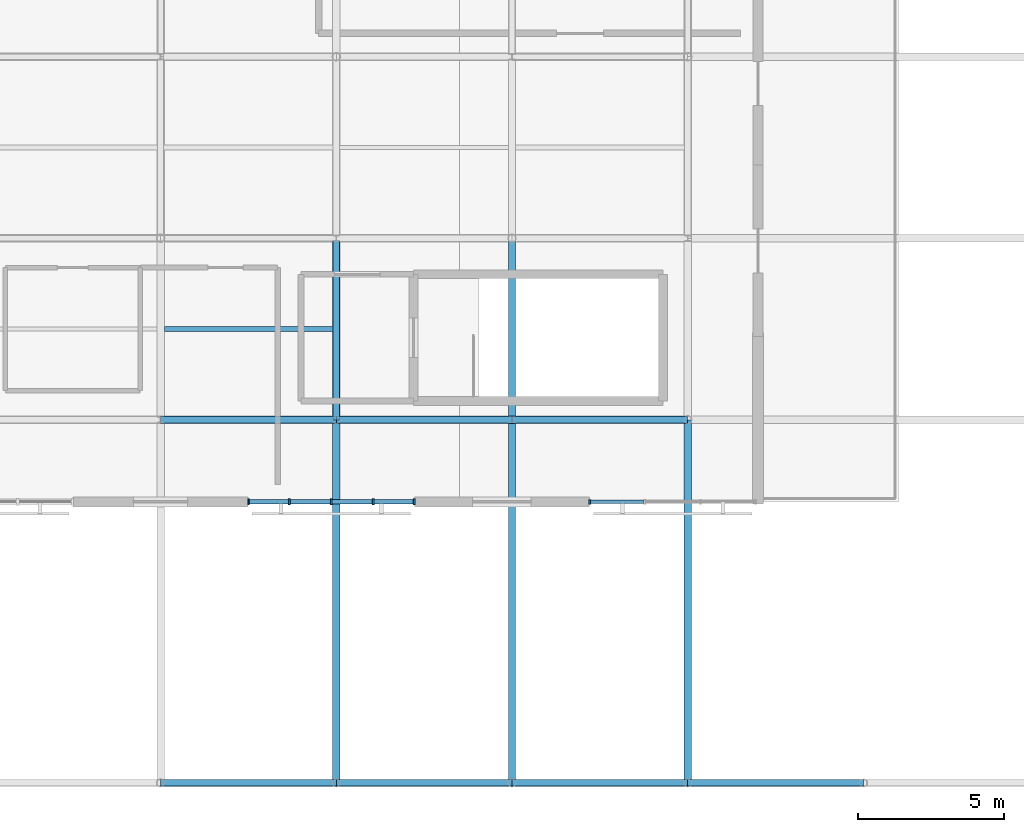
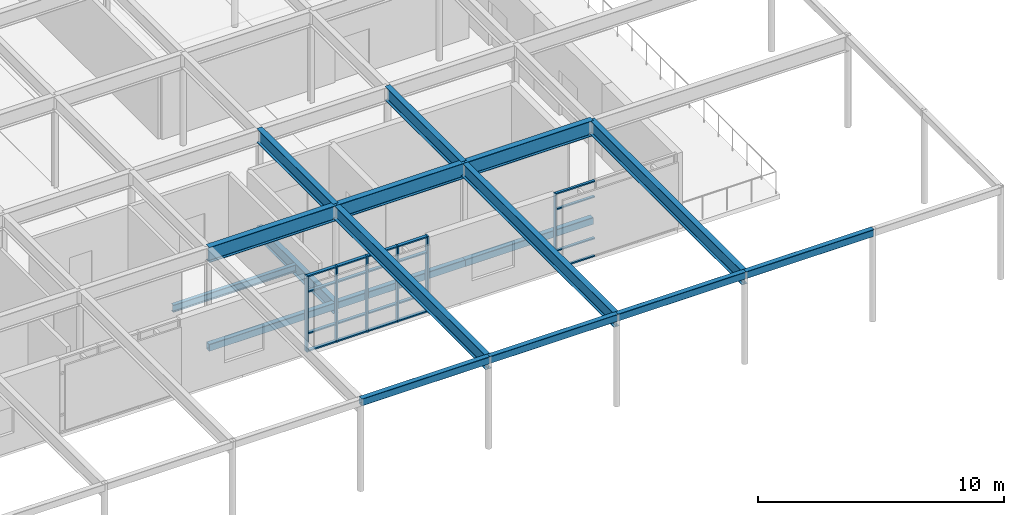
# One storey, part 24 of 48: 26 members, 17 beams, 2 elements without a shape of their own.
"""IFC4 building model written with IfcOpenShell, lengths in metres."""

from ifc_helpers import new_model, si_unit, direction, frame, origin, origin_2d, place, context, subcontext, project, spatial, rectangle, hollow_rectangle, i_section, extrude, material, layer, layer_set, material_profile, profile_set, type_object, element, aggregate, save


model = new_model("IFC4")

# Units and contexts
model_context = context("Model", 3, precision=1e-05, world=origin(), true_north=direction((0.0, 1.0)))
body_context = subcontext(model_context, "Body", "Model", "MODEL_VIEW")
ifc_project = project(units=[si_unit("LENGTHUNIT", "METRE"), si_unit("AREAUNIT", "SQUARE_METRE"), si_unit("VOLUMEUNIT", "CUBIC_METRE"), si_unit("PLANEANGLEUNIT", "RADIAN"), si_unit("MASSUNIT", "GRAM", prefix="KILO")], contexts=[model_context])

# Site, building, storey
site_placement = place(None, origin())
site = spatial("IfcSite", under=ifc_project, at=site_placement, CompositionType="ELEMENT")
building_placement = place(site_placement, origin())
building = spatial("IfcBuilding", under=site, at=building_placement, Name="Mirzam Square Science Centre", CompositionType="ELEMENT")
storey_placement = place(building_placement, frame((0.0, 0.0, 20.39990234375)))
storey = spatial("IfcBuildingStorey", under=building, at=storey_placement, Name="L04", CompositionType="ELEMENT", Elevation=20.39990234375)

# Beams
ifc_material_1 = material(Name="Steel S355", Category="steel")
ifc_material_profile_1 = material_profile(ifc_material_1, i_section(OverallWidth=0.22900390625, OverallDepth=0.6123046875, WebThickness=0.011962890625, FlangeThickness=0.01953125, FilletRadius=0.0126953125, at=origin_2d()), Name="610x229x125UB")
ifc_profile_set_1 = profile_set([ifc_material_profile_1], Name="Steel S355")
beam_type_1 = type_object("IfcBeamType", Name="BM-UB610", PredefinedType="BEAM", material=ifc_profile_set_1)
beam_1_placement = place(storey_placement, frame((138.0, 49.60009765625, -0.555908203125), z_axis=(0.0, 1.0, 0.0), x_axis=(-1.0, 0.0, 0.0)))
element("IfcBeam", 1, at=beam_1_placement, inside=storey, type_object=beam_type_1, Name="L04 girder Y24-9", PredefinedType="BEAM", context=body_context, shape_type="SweptSolid", body=[
    extrude(i_section(OverallWidth=0.22900390625, OverallDepth=0.6123046875, WebThickness=0.011962890625, FlangeThickness=0.01953125, FilletRadius=0.0126953125, at=origin_2d()), origin(), (0.0, 0.0, 1.0), 6.199951171875),
])
ifc_material_profile_2 = material_profile(ifc_material_1, i_section(OverallWidth=0.25439453125, OverallDepth=0.6875, WebThickness=0.01318359375, FlangeThickness=0.02099609375, FilletRadius=0.01513671875, at=origin_2d()), Name="686x254x152UB")
ifc_profile_set_2 = profile_set([ifc_material_profile_2], Name="Steel S355")
beam_type_2 = type_object("IfcBeamType", Name="BM-UB686", PredefinedType="BEAM", material=ifc_profile_set_2)
beam_2_placement = place(storey_placement, frame((138.0, 37.199951171875, 4.226318359375), z_axis=(0.0, 1.0, 0.0), x_axis=(-1.0, 0.0, 0.0)))
element("IfcBeam", 2, at=beam_2_placement, inside=storey, type_object=beam_type_2, Name="Parasol roof girder X24 Y7-9", PredefinedType="BEAM", context=body_context, shape_type="SweptSolid", body=[
    extrude(i_section(OverallWidth=0.25439453125, OverallDepth=0.6875, WebThickness=0.01318359375, FlangeThickness=0.02099609375, FilletRadius=0.01513671875, at=origin_2d()), origin(), (0.0, 0.0, 1.0), 12.400146484375),
])
beam_3_placement = place(storey_placement, frame((138.0, 49.60009765625, 4.226318359375), z_axis=(0.0, 1.0, 0.0), x_axis=(-1.0, 0.0, 0.0)))
element("IfcBeam", 3, at=beam_3_placement, inside=storey, type_object=beam_type_2, Name="Parasol roof girder X24 Y9-10", PredefinedType="BEAM", context=body_context, shape_type="SweptSolid", body=[
    extrude(i_section(OverallWidth=0.25439453125, OverallDepth=0.6875, WebThickness=0.01318359375, FlangeThickness=0.02099609375, FilletRadius=0.01513671875, at=origin_2d()), origin(), (0.0, 0.0, 1.0), 6.199951171875),
])
beam_4_placement = place(storey_placement, frame((144.0, 37.199951171875, 4.226318359375), z_axis=(0.0, 1.0, 0.0), x_axis=(-1.0, 0.0, 0.0)))
element("IfcBeam", 4, at=beam_4_placement, inside=storey, type_object=beam_type_2, Name="Parasol roof girder X25 Y7-9", PredefinedType="BEAM", context=body_context, shape_type="SweptSolid", body=[
    extrude(i_section(OverallWidth=0.25439453125, OverallDepth=0.6875, WebThickness=0.01318359375, FlangeThickness=0.02099609375, FilletRadius=0.01513671875, at=origin_2d()), origin(), (0.0, 0.0, 1.0), 12.400146484375),
])
beam_5_placement = place(storey_placement, frame((144.0, 49.60009765625, 4.226318359375), z_axis=(0.0, 1.0, 0.0), x_axis=(-1.0, 0.0, 0.0)))
element("IfcBeam", 5, at=beam_5_placement, inside=storey, type_object=beam_type_2, Name="Parasol roof girder X25 Y9-10", PredefinedType="BEAM", context=body_context, shape_type="SweptSolid", body=[
    extrude(i_section(OverallWidth=0.25439453125, OverallDepth=0.6875, WebThickness=0.01318359375, FlangeThickness=0.02099609375, FilletRadius=0.01513671875, at=origin_2d()), origin(), (0.0, 0.0, 1.0), 6.199951171875),
])
beam_6_placement = place(storey_placement, frame((150.0, 37.199951171875, 4.226318359375), z_axis=(0.0, 1.0, 0.0), x_axis=(-1.0, 0.0, 0.0)))
element("IfcBeam", 6, at=beam_6_placement, inside=storey, type_object=beam_type_2, Name="Parasol roof girder X26 Y7-9", PredefinedType="BEAM", context=body_context, shape_type="SweptSolid", body=[
    extrude(i_section(OverallWidth=0.25439453125, OverallDepth=0.6875, WebThickness=0.01318359375, FlangeThickness=0.02099609375, FilletRadius=0.01513671875, at=origin_2d()), origin(), (0.0, 0.0, 1.0), 12.400146484375),
])
ifc_material_profile_3 = material_profile(ifc_material_1, i_section(OverallWidth=0.2666015625, OverallDepth=0.76220703125, WebThickness=0.014404296875, FlangeThickness=0.021484375, FilletRadius=0.0166015625, at=origin_2d()), Name="762x267x173UB")
ifc_profile_set_3 = profile_set([ifc_material_profile_3], Name="Steel S355")
beam_type_3 = type_object("IfcBeamType", Name="BM-UB762", PredefinedType="BEAM", material=ifc_profile_set_3)
for number, where, z_axis, x_axis, name in (
    (7, (132.0, 49.60009765625, 4.18896484375), (1.0, 0.0, 0.0), (0.0, 1.0, 0.0), "Parasol roof girder Y9 X23-24"),
    (8, (138.0, 49.60009765625, 4.18896484375), (1.0, 0.0, 0.0), (0.0, 1.0, 0.0), "Parasol roof girder Y9 X24-25"),
    (9, (144.0, 49.60009765625, 4.18896484375), (1.0, 0.0, 0.0), (0.0, 1.0, 0.0), "Parasol roof girder Y9 X25-26"),
):
    element("IfcBeam", number, at=place(storey_placement, frame(where, z_axis=z_axis, x_axis=x_axis)), inside=storey, type_object=beam_type_3, Name=name, PredefinedType="BEAM", context=body_context, shape_type="SweptSolid", body=[
        extrude(i_section(OverallWidth=0.2666015625, OverallDepth=0.76220703125, WebThickness=0.014404296875, FlangeThickness=0.021484375, FilletRadius=0.0166015625, at=origin_2d()), origin(), (0.0, 0.0, 1.0), 6.0),
    ])

# Curtain wall, member
ifc_material_2 = material(Name="Anodised Aluminium and Low-E Solar Glass", Category="aluminium")
ifc_layer_1 = layer(ifc_material_2, 0.199951171875)
ifc_layer_set_1 = layer_set([ifc_layer_1], Name="CW-PARK-B")
curtain_wall_type_1 = type_object("IfcCurtainWallType", Name="CW-PARK-B", PredefinedType="USERDEFINED", material=ifc_layer_set_1)
curtain_wall_1_placement = place(storey_placement, origin())
curtain_wall_1 = element("IfcCurtainWall", 10, at=curtain_wall_1_placement, inside=storey, type_object=curtain_wall_type_1, Name="L04 unitised curtain wall 149", ObjectType="UNITISED CURTAIN WALL", PredefinedType="USERDEFINED")
ifc_material_3 = material(Name="Anodised Architectural Aluminium 6063-T6", Category="aluminium")
ifc_material_profile_4 = material_profile(ifc_material_3, rectangle(XDim=0.06005859375, YDim=0.159912109375, at=origin_2d()), Name="ALU-MULL-160x60x4")
ifc_profile_set_4 = profile_set([ifc_material_profile_4], Name="Anodised Architectural Aluminium 6063-T6")
member_type_1 = type_object("IfcMemberType", Name="CWM-160", PredefinedType="MULLION", material=ifc_profile_set_4)
member_1_placement = place(storey_placement, frame((146.656494140625, 46.800048828125, 0.0), z_axis=(0.0, 0.0, 1.0), x_axis=(1.0, 0.0, 0.0)))
member_1 = element("IfcMember", 11, at=member_1_placement, type_object=member_type_1, Name="CW-02 mullion 1", PredefinedType="MULLION", context=body_context, shape_type="SweptSolid", body=[
    extrude(rectangle(XDim=0.06005859375, YDim=0.159912109375, at=origin_2d()), origin(), (0.0, 0.0, 1.0), 3.760009765625),
])

# Curtain wall, members
ifc_layer_2 = layer(ifc_material_2, 0.179931640625)
ifc_layer_set_2 = layer_set([ifc_layer_2], Name="CW-LINK-A")
curtain_wall_type_2 = type_object("IfcCurtainWallType", Name="CW-LINK-A", PredefinedType="USERDEFINED", material=ifc_layer_set_2)
curtain_wall_2_placement = place(storey_placement, origin())
curtain_wall_2 = element("IfcCurtainWall", 12, at=curtain_wall_2_placement, inside=storey, type_object=curtain_wall_type_2, Name="L04 unitised curtain wall 148", ObjectType="UNITISED CURTAIN WALL", PredefinedType="USERDEFINED")
ifc_material_profile_5 = material_profile(ifc_material_3, rectangle(XDim=0.06494140625, YDim=0.199951171875, at=origin_2d()), Name="ALU-MULL-200x65x5")
ifc_profile_set_5 = profile_set([ifc_material_profile_5], Name="Anodised Architectural Aluminium 6063-T6")
member_type_2 = type_object("IfcMemberType", Name="CWM-200", PredefinedType="MULLION", material=ifc_profile_set_5)
member_2_placement = place(storey_placement, frame((135.001708984375, 46.800048828125, 0.0), z_axis=(0.0, 0.0, 1.0), x_axis=(1.0, 0.0, 0.0)))
member_2 = element("IfcMember", 13, at=member_2_placement, type_object=member_type_2, Name="CW-08 mullion 1", PredefinedType="MULLION", context=body_context, shape_type="SweptSolid", body=[
    extrude(rectangle(XDim=0.06494140625, YDim=0.199951171875, at=origin_2d()), origin(), (0.0, 0.0, 1.0), 3.760009765625),
])
member_3_placement = place(storey_placement, frame((136.39892578125, 46.800048828125, 0.0), z_axis=(0.0, 0.0, 1.0), x_axis=(1.0, 0.0, 0.0)))
member_3 = element("IfcMember", 14, at=member_3_placement, type_object=member_type_2, Name="CW-08 mullion 2", PredefinedType="MULLION", context=body_context, shape_type="SweptSolid", body=[
    extrude(rectangle(XDim=0.06494140625, YDim=0.199951171875, at=origin_2d()), origin(), (0.0, 0.0, 1.0), 3.760009765625),
])
member_4_placement = place(storey_placement, frame((137.82861328125, 46.800048828125, 0.0), z_axis=(0.0, 0.0, 1.0), x_axis=(1.0, 0.0, 0.0)))
member_4 = element("IfcMember", 15, at=member_4_placement, type_object=member_type_2, Name="CW-08 mullion 3", PredefinedType="MULLION", context=body_context, shape_type="SweptSolid", body=[
    extrude(rectangle(XDim=0.06494140625, YDim=0.199951171875, at=origin_2d()), origin(), (0.0, 0.0, 1.0), 3.760009765625),
])
member_5_placement = place(storey_placement, frame((139.25830078125, 46.800048828125, 0.0), z_axis=(0.0, 0.0, 1.0), x_axis=(1.0, 0.0, 0.0)))
member_5 = element("IfcMember", 16, at=member_5_placement, type_object=member_type_2, Name="CW-08 mullion 4", PredefinedType="MULLION", context=body_context, shape_type="SweptSolid", body=[
    extrude(rectangle(XDim=0.06494140625, YDim=0.199951171875, at=origin_2d()), origin(), (0.0, 0.0, 1.0), 3.760009765625),
])
member_6_placement = place(storey_placement, frame((140.655517578125, 46.800048828125, 0.0), z_axis=(0.0, 0.0, 1.0), x_axis=(1.0, 0.0, 0.0)))
member_6 = element("IfcMember", 17, at=member_6_placement, type_object=member_type_2, Name="CW-08 mullion 5", PredefinedType="MULLION", context=body_context, shape_type="SweptSolid", body=[
    extrude(rectangle(XDim=0.06494140625, YDim=0.199951171875, at=origin_2d()), origin(), (0.0, 0.0, 1.0), 3.760009765625),
])

# Member
ifc_material_profile_6 = material_profile(ifc_material_3, rectangle(XDim=0.1201171875, YDim=0.06005859375, at=origin_2d()), Name="ALU-TRAN-120x60x4")
ifc_profile_set_6 = profile_set([ifc_material_profile_6], Name="Anodised Architectural Aluminium 6063-T6")
member_type_3 = type_object("IfcMemberType", Name="CWT-120", PredefinedType="USERDEFINED", material=ifc_profile_set_6)
member_7_placement = place(storey_placement, frame((146.686279296875, 46.800048828125, 0.030029296875), z_axis=(1.0, 0.0, 0.0), x_axis=(0.0, 1.0, 0.0)))
member_7 = element("IfcMember", 18, at=member_7_placement, type_object=member_type_3, Name="CW-02 transom 1.1", ObjectType="TRANSOM", PredefinedType="USERDEFINED", context=body_context, shape_type="SweptSolid", body=[
    extrude(rectangle(XDim=0.1201171875, YDim=0.06005859375, at=origin_2d()), origin(), (0.0, 0.0, 1.0), 1.81640625),
])

member_8_placement = place(storey_placement, frame((146.686279296875, 46.800048828125, 0.900146484375), z_axis=(1.0, 0.0, 0.0), x_axis=(0.0, 1.0, 0.0)))
member_8 = element("IfcMember", 19, at=member_8_placement, type_object=member_type_3, Name="CW-02 transom 1.2", ObjectType="TRANSOM", PredefinedType="USERDEFINED", context=body_context, shape_type="SweptSolid", body=[
    extrude(rectangle(XDim=0.1201171875, YDim=0.06005859375, at=origin_2d()), origin(), (0.0, 0.0, 1.0), 1.81640625),
])

member_9_placement = place(storey_placement, frame((146.686279296875, 46.800048828125, 2.960205078125), z_axis=(1.0, 0.0, 0.0), x_axis=(0.0, 1.0, 0.0)))
member_9 = element("IfcMember", 20, at=member_9_placement, type_object=member_type_3, Name="CW-02 transom 1.3", ObjectType="TRANSOM", PredefinedType="USERDEFINED", context=body_context, shape_type="SweptSolid", body=[
    extrude(rectangle(XDim=0.1201171875, YDim=0.06005859375, at=origin_2d()), origin(), (0.0, 0.0, 1.0), 1.81640625),
])

member_10_placement = place(storey_placement, frame((146.686279296875, 46.800048828125, 3.72998046875), z_axis=(1.0, 0.0, 0.0), x_axis=(0.0, 1.0, 0.0)))
member_10 = element("IfcMember", 21, at=member_10_placement, type_object=member_type_3, Name="CW-02 transom 1.4", ObjectType="TRANSOM", PredefinedType="USERDEFINED", context=body_context, shape_type="SweptSolid", body=[
    extrude(rectangle(XDim=0.1201171875, YDim=0.06005859375, at=origin_2d()), origin(), (0.0, 0.0, 1.0), 1.81640625),
])

aggregate(curtain_wall_1, [member_1, member_7, member_8, member_9, member_10])

ifc_material_profile_7 = material_profile(ifc_material_3, rectangle(XDim=0.14990234375, YDim=0.06494140625, at=origin_2d()), Name="ALU-TRAN-150x65x4")
ifc_profile_set_7 = profile_set([ifc_material_profile_7], Name="Anodised Architectural Aluminium 6063-T6")
member_type_4 = type_object("IfcMemberType", Name="CWT-150", PredefinedType="USERDEFINED", material=ifc_profile_set_7)
member_11_placement = place(storey_placement, frame((135.0341796875, 46.800048828125, 0.03271484375), z_axis=(1.0, 0.0, 0.0), x_axis=(0.0, 1.0, 0.0)))
member_11 = element("IfcMember", 22, at=member_11_placement, type_object=member_type_4, Name="CW-08 transom 1.1", ObjectType="TRANSOM", PredefinedType="USERDEFINED", context=body_context, shape_type="SweptSolid", body=[
    extrude(rectangle(XDim=0.14990234375, YDim=0.06494140625, at=origin_2d()), origin(), (0.0, 0.0, 1.0), 1.332275390625),
])

member_12_placement = place(storey_placement, frame((135.0341796875, 46.800048828125, 0.900146484375), z_axis=(1.0, 0.0, 0.0), x_axis=(0.0, 1.0, 0.0)))
member_12 = element("IfcMember", 23, at=member_12_placement, type_object=member_type_4, Name="CW-08 transom 1.2", ObjectType="TRANSOM", PredefinedType="USERDEFINED", context=body_context, shape_type="SweptSolid", body=[
    extrude(rectangle(XDim=0.14990234375, YDim=0.06494140625, at=origin_2d()), origin(), (0.0, 0.0, 1.0), 1.332275390625),
])

member_13_placement = place(storey_placement, frame((135.0341796875, 46.800048828125, 2.960205078125), z_axis=(1.0, 0.0, 0.0), x_axis=(0.0, 1.0, 0.0)))
member_13 = element("IfcMember", 24, at=member_13_placement, type_object=member_type_4, Name="CW-08 transom 1.3", ObjectType="TRANSOM", PredefinedType="USERDEFINED", context=body_context, shape_type="SweptSolid", body=[
    extrude(rectangle(XDim=0.14990234375, YDim=0.06494140625, at=origin_2d()), origin(), (0.0, 0.0, 1.0), 1.332275390625),
])

member_14_placement = place(storey_placement, frame((135.0341796875, 46.800048828125, 3.7275390625), z_axis=(1.0, 0.0, 0.0), x_axis=(0.0, 1.0, 0.0)))
member_14 = element("IfcMember", 25, at=member_14_placement, type_object=member_type_4, Name="CW-08 transom 1.4", ObjectType="TRANSOM", PredefinedType="USERDEFINED", context=body_context, shape_type="SweptSolid", body=[
    extrude(rectangle(XDim=0.14990234375, YDim=0.06494140625, at=origin_2d()), origin(), (0.0, 0.0, 1.0), 1.332275390625),
])

member_15_placement = place(storey_placement, frame((136.431396484375, 46.800048828125, 0.03271484375), z_axis=(1.0, 0.0, 0.0), x_axis=(0.0, 1.0, 0.0)))
member_15 = element("IfcMember", 26, at=member_15_placement, type_object=member_type_4, Name="CW-08 transom 2.1", ObjectType="TRANSOM", PredefinedType="USERDEFINED", context=body_context, shape_type="SweptSolid", body=[
    extrude(rectangle(XDim=0.14990234375, YDim=0.06494140625, at=origin_2d()), origin(), (0.0, 0.0, 1.0), 1.36474609375),
])

member_16_placement = place(storey_placement, frame((136.431396484375, 46.800048828125, 0.900146484375), z_axis=(1.0, 0.0, 0.0), x_axis=(0.0, 1.0, 0.0)))
member_16 = element("IfcMember", 27, at=member_16_placement, type_object=member_type_4, Name="CW-08 transom 2.2", ObjectType="TRANSOM", PredefinedType="USERDEFINED", context=body_context, shape_type="SweptSolid", body=[
    extrude(rectangle(XDim=0.14990234375, YDim=0.06494140625, at=origin_2d()), origin(), (0.0, 0.0, 1.0), 1.36474609375),
])

member_17_placement = place(storey_placement, frame((136.431396484375, 46.800048828125, 2.960205078125), z_axis=(1.0, 0.0, 0.0), x_axis=(0.0, 1.0, 0.0)))
member_17 = element("IfcMember", 28, at=member_17_placement, type_object=member_type_4, Name="CW-08 transom 2.3", ObjectType="TRANSOM", PredefinedType="USERDEFINED", context=body_context, shape_type="SweptSolid", body=[
    extrude(rectangle(XDim=0.14990234375, YDim=0.06494140625, at=origin_2d()), origin(), (0.0, 0.0, 1.0), 1.36474609375),
])

member_18_placement = place(storey_placement, frame((136.431396484375, 46.800048828125, 3.7275390625), z_axis=(1.0, 0.0, 0.0), x_axis=(0.0, 1.0, 0.0)))
member_18 = element("IfcMember", 29, at=member_18_placement, type_object=member_type_4, Name="CW-08 transom 2.4", ObjectType="TRANSOM", PredefinedType="USERDEFINED", context=body_context, shape_type="SweptSolid", body=[
    extrude(rectangle(XDim=0.14990234375, YDim=0.06494140625, at=origin_2d()), origin(), (0.0, 0.0, 1.0), 1.36474609375),
])

member_19_placement = place(storey_placement, frame((137.861083984375, 46.800048828125, 0.03271484375), z_axis=(1.0, 0.0, 0.0), x_axis=(0.0, 1.0, 0.0)))
member_19 = element("IfcMember", 30, at=member_19_placement, type_object=member_type_4, Name="CW-08 transom 3.1", ObjectType="TRANSOM", PredefinedType="USERDEFINED", context=body_context, shape_type="SweptSolid", body=[
    extrude(rectangle(XDim=0.14990234375, YDim=0.06494140625, at=origin_2d()), origin(), (0.0, 0.0, 1.0), 1.36474609375),
])

member_20_placement = place(storey_placement, frame((137.861083984375, 46.800048828125, 0.900146484375), z_axis=(1.0, 0.0, 0.0), x_axis=(0.0, 1.0, 0.0)))
member_20 = element("IfcMember", 31, at=member_20_placement, type_object=member_type_4, Name="CW-08 transom 3.2", ObjectType="TRANSOM", PredefinedType="USERDEFINED", context=body_context, shape_type="SweptSolid", body=[
    extrude(rectangle(XDim=0.14990234375, YDim=0.06494140625, at=origin_2d()), origin(), (0.0, 0.0, 1.0), 1.36474609375),
])

member_21_placement = place(storey_placement, frame((137.861083984375, 46.800048828125, 2.960205078125), z_axis=(1.0, 0.0, 0.0), x_axis=(0.0, 1.0, 0.0)))
member_21 = element("IfcMember", 32, at=member_21_placement, type_object=member_type_4, Name="CW-08 transom 3.3", ObjectType="TRANSOM", PredefinedType="USERDEFINED", context=body_context, shape_type="SweptSolid", body=[
    extrude(rectangle(XDim=0.14990234375, YDim=0.06494140625, at=origin_2d()), origin(), (0.0, 0.0, 1.0), 1.36474609375),
])

member_22_placement = place(storey_placement, frame((137.861083984375, 46.800048828125, 3.7275390625), z_axis=(1.0, 0.0, 0.0), x_axis=(0.0, 1.0, 0.0)))
member_22 = element("IfcMember", 33, at=member_22_placement, type_object=member_type_4, Name="CW-08 transom 3.4", ObjectType="TRANSOM", PredefinedType="USERDEFINED", context=body_context, shape_type="SweptSolid", body=[
    extrude(rectangle(XDim=0.14990234375, YDim=0.06494140625, at=origin_2d()), origin(), (0.0, 0.0, 1.0), 1.36474609375),
])

member_23_placement = place(storey_placement, frame((139.290771484375, 46.800048828125, 0.03271484375), z_axis=(1.0, 0.0, 0.0), x_axis=(0.0, 1.0, 0.0)))
member_23 = element("IfcMember", 34, at=member_23_placement, type_object=member_type_4, Name="CW-08 transom 4.1", ObjectType="TRANSOM", PredefinedType="USERDEFINED", context=body_context, shape_type="SweptSolid", body=[
    extrude(rectangle(XDim=0.14990234375, YDim=0.06494140625, at=origin_2d()), origin(), (0.0, 0.0, 1.0), 1.33203125),
])

member_24_placement = place(storey_placement, frame((139.290771484375, 46.800048828125, 0.900146484375), z_axis=(1.0, 0.0, 0.0), x_axis=(0.0, 1.0, 0.0)))
member_24 = element("IfcMember", 35, at=member_24_placement, type_object=member_type_4, Name="CW-08 transom 4.2", ObjectType="TRANSOM", PredefinedType="USERDEFINED", context=body_context, shape_type="SweptSolid", body=[
    extrude(rectangle(XDim=0.14990234375, YDim=0.06494140625, at=origin_2d()), origin(), (0.0, 0.0, 1.0), 1.33203125),
])

member_25_placement = place(storey_placement, frame((139.290771484375, 46.800048828125, 2.960205078125), z_axis=(1.0, 0.0, 0.0), x_axis=(0.0, 1.0, 0.0)))
member_25 = element("IfcMember", 36, at=member_25_placement, type_object=member_type_4, Name="CW-08 transom 4.3", ObjectType="TRANSOM", PredefinedType="USERDEFINED", context=body_context, shape_type="SweptSolid", body=[
    extrude(rectangle(XDim=0.14990234375, YDim=0.06494140625, at=origin_2d()), origin(), (0.0, 0.0, 1.0), 1.33203125),
])

member_26_placement = place(storey_placement, frame((139.290771484375, 46.800048828125, 3.7275390625), z_axis=(1.0, 0.0, 0.0), x_axis=(0.0, 1.0, 0.0)))
member_26 = element("IfcMember", 37, at=member_26_placement, type_object=member_type_4, Name="CW-08 transom 4.4", ObjectType="TRANSOM", PredefinedType="USERDEFINED", context=body_context, shape_type="SweptSolid", body=[
    extrude(rectangle(XDim=0.14990234375, YDim=0.06494140625, at=origin_2d()), origin(), (0.0, 0.0, 1.0), 1.33203125),
])

aggregate(curtain_wall_2, [member_2, member_3, member_4, member_5, member_6, member_11, member_12, member_13, member_14, member_15, member_16, member_17, member_18, member_19, member_20, member_21, member_22, member_23, member_24, member_25, member_26])

# Beams
ifc_material_profile_8 = material_profile(ifc_material_1, i_section(OverallWidth=0.172119140625, OverallDepth=0.35791015625, WebThickness=0.008056640625, FlangeThickness=0.012939453125, FilletRadius=0.01025390625, at=origin_2d()), Name="356x171x57UB")
ifc_profile_set_8 = profile_set([ifc_material_profile_8], Name="Steel S355")
beam_type_4 = type_object("IfcBeamType", Name="JS-UB356", PredefinedType="JOIST", material=ifc_profile_set_8)
beam_7_placement = place(storey_placement, frame((132.127197265625, 52.699951171875, -0.428955078125), z_axis=(1.0, 0.0, 0.0), x_axis=(0.0, 1.0, 0.0)))
element("IfcBeam", 38, at=beam_7_placement, inside=storey, type_object=beam_type_4, Name="L04 composite joist 23-9", PredefinedType="JOIST", context=body_context, shape_type="SweptSolid", body=[
    extrude(i_section(OverallWidth=0.172119140625, OverallDepth=0.35791015625, WebThickness=0.008056640625, FlangeThickness=0.012939453125, FilletRadius=0.01025390625, at=origin_2d()), origin(), (0.0, 0.0, 1.0), 5.75830078125),
])
ifc_material_profile_9 = material_profile(ifc_material_1, hollow_rectangle(XDim=0.25, YDim=0.35009765625, WallThickness=0.012451171875, InnerFilletRadius=0.012451171875, OuterFilletRadius=0.02490234375, at=origin_2d()), Name="350x250x12.5RHS")
ifc_profile_set_9 = profile_set([ifc_material_profile_9], Name="Steel S355")
beam_type_5 = type_object("IfcBeamType", Name="SP-RHS350", PredefinedType="SPANDREL", material=ifc_profile_set_9)
for number, where, z_axis, x_axis, name in (
    (39, (132.0, 49.60009765625, -0.4248046875), (1.0, 0.0, 0.0), (0.0, 1.0, 0.0), "L04 girder X23-9"),
    (40, (138.0, 49.60009765625, -0.4248046875), (1.0, 0.0, 0.0), (0.0, 1.0, 0.0), "L04 girder X24-9"),
    (41, (144.0, 49.60009765625, -0.4248046875), (1.0, 0.0, 0.0), (0.0, 1.0, 0.0), "L04 girder X25-9"),
    (42, (132.0, 37.199951171875, 4.39501953125), (1.0, 0.0, 0.0), (0.0, 1.0, 0.0), "Parasol S fascia beam 23"),
    (43, (138.0, 37.199951171875, 4.39501953125), (1.0, 0.0, 0.0), (0.0, 1.0, 0.0), "Parasol S fascia beam 24"),
    (44, (144.0, 37.199951171875, 4.39501953125), (1.0, 0.0, 0.0), (0.0, 1.0, 0.0), "Parasol S fascia beam 25"),
    (45, (150.0, 37.199951171875, 4.39501953125), (1.0, 0.0, 0.0), (0.0, 1.0, 0.0), "Parasol S fascia beam 26"),
):
    element("IfcBeam", number, at=place(storey_placement, frame(where, z_axis=z_axis, x_axis=x_axis)), inside=storey, type_object=beam_type_5, Name=name, PredefinedType="SPANDREL", context=body_context, shape_type="SweptSolid", body=[
        extrude(hollow_rectangle(XDim=0.25, YDim=0.35009765625, WallThickness=0.012451171875, InnerFilletRadius=0.012451171875, OuterFilletRadius=0.02490234375, at=origin_2d()), origin(), (0.0, 0.0, 1.0), 6.0),
    ])

save(model, "model.ifc")
